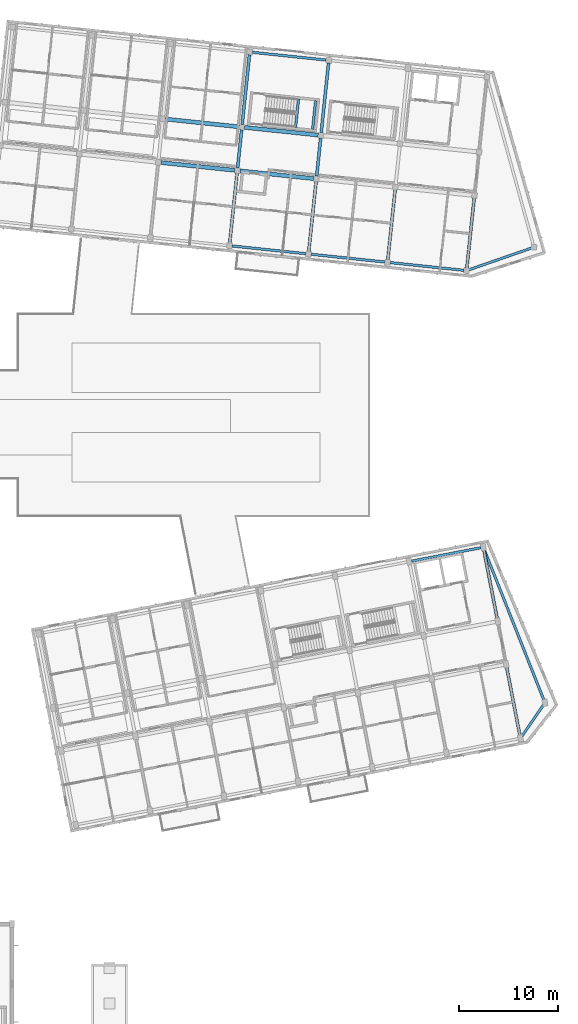
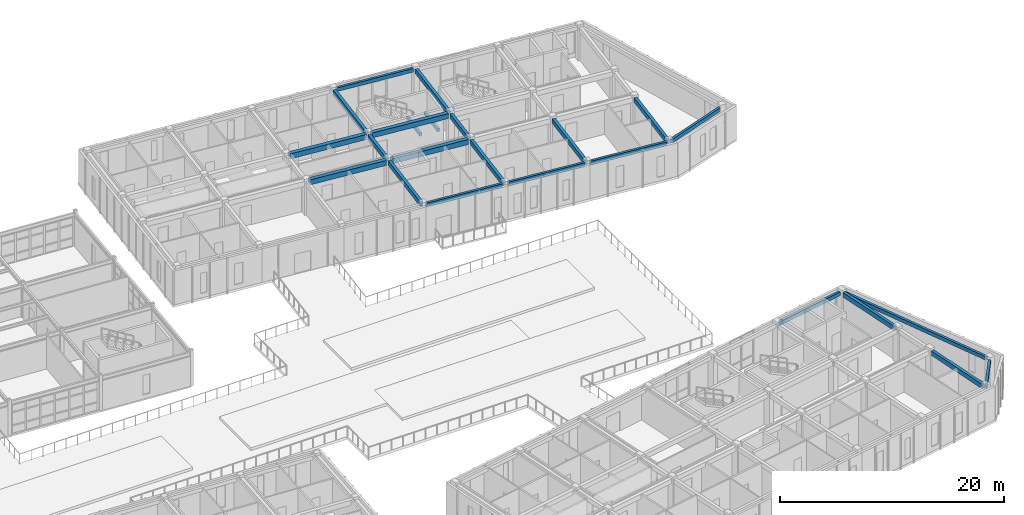
# One storey, part 61 of 150: 24 beams.
"""IFC4 building model written with IfcOpenShell, lengths in metres."""

from ifc_helpers import new_model, si_unit, direction, frame, origin, origin_2d, place, context, subcontext, project, spatial, rectangle, extrude, material, material_profile, profile_set, type_object, element, save


model = new_model("IFC4")

# Units and contexts
model_context = context("Model", 3, precision=1e-05, world=origin(), true_north=direction((0.0, 1.0)))
body_context = subcontext(model_context, "Body", "Model", "MODEL_VIEW")
ifc_project = project(units=[si_unit("LENGTHUNIT", "METRE"), si_unit("AREAUNIT", "SQUARE_METRE"), si_unit("VOLUMEUNIT", "CUBIC_METRE"), si_unit("PLANEANGLEUNIT", "RADIAN"), si_unit("MASSUNIT", "GRAM", prefix="KILO")], contexts=[model_context])

# Site, building, storey
site_placement = place(None, origin())
site = spatial("IfcSite", under=ifc_project, at=site_placement, CompositionType="ELEMENT")
building_placement = place(site_placement, origin())
building = spatial("IfcBuilding", under=site, at=building_placement, Name="Kestramere Prow Commons", CompositionType="ELEMENT")
storey_placement = place(building_placement, frame((0.0, 0.0, 4.5)))
storey = spatial("IfcBuildingStorey", under=building, at=storey_placement, Name="L01", CompositionType="ELEMENT", Elevation=4.5)

# Beams
ifc_material_1 = material(Name="Precast concrete C40/50", Category="concrete")
ifc_material_profile_1 = material_profile(ifc_material_1, rectangle(XDim=0.39990234375, YDim=0.550048828125, at=origin_2d()), Name="PC-BM 400x550")
ifc_profile_set_1 = profile_set([ifc_material_profile_1], Name="Precast concrete C40/50")
beam_type_1 = type_object("IfcBeamType", Name="BM-B1 PC-BM 400x550", PredefinedType="BEAM", material=ifc_profile_set_1)
for number, where, z_axis, x_axis, name in (
    (1, (126.980224609375, 100.6572265625, 3.375), (0.994520884665, -0.104538079019, 0.0), (0.104538079019, 0.994520884665, 0.0), "Block B L01 Longitudinal Beam 2-3"),
    (2, (134.9365234375, 99.821044921875, 3.375), (0.994520884665, -0.104538079019, 0.0), (0.104538079019, 0.994520884665, 0.0), "Block B L01 Longitudinal Beam 2-4"),
    (3, (127.440185546875, 105.032958984375, 3.375), (0.994524291149, -0.104505666419, 0.0), (0.104505666419, 0.994524291149, 0.0), "Block B L01 Longitudinal Beam 3-3"),
):
    element("IfcBeam", number, at=place(storey_placement, frame(where, z_axis=z_axis, x_axis=x_axis)), inside=storey, type_object=beam_type_1, Name=name, PredefinedType="BEAM", context=body_context, shape_type="SweptSolid", body=[
        extrude(rectangle(XDim=0.39990234375, YDim=0.550048828125, at=origin_2d()), origin(), (0.0, 0.0, 1.0), 7.449951171875),
    ])
beam_1_placement = place(storey_placement, frame((135.396240234375, 104.19677734375, 3.375), z_axis=(0.994524649035, -0.104502260561, 0.0), x_axis=(0.104502260561, 0.994524649035, 0.0)))
element("IfcBeam", 4, at=beam_1_placement, inside=storey, type_object=beam_type_1, Name="Block B L01 Longitudinal Beam 3-4", PredefinedType="BEAM", context=body_context, shape_type="SweptSolid", body=[
    extrude(rectangle(XDim=0.39990234375, YDim=0.550048828125, at=origin_2d()), origin(), (0.0, 0.0, 1.0), 7.4501953125),
])
ifc_material_2 = material(Name="Concrete C40/50", Category="concrete")
ifc_material_profile_2 = material_profile(ifc_material_2, rectangle(XDim=0.25, YDim=0.35009765625, at=origin_2d()), Name="PC-BM 250x350")
ifc_profile_set_2 = profile_set([ifc_material_profile_2], Name="Concrete C40/50")
beam_type_2 = type_object("IfcBeamType", Name="BM-ST-TRIM", PredefinedType="BEAM", material=ifc_profile_set_2)
beam_2_placement = place(storey_placement, frame((140.52880859375, 104.1904296875, 1.574951171875), z_axis=(0.104504476959, 0.994524416138, 0.0), x_axis=(-0.994524416138, 0.104504476959, 0.0)))
element("IfcBeam", 5, at=beam_2_placement, inside=storey, type_object=beam_type_2, Name="ST-B1 L01 Landing Trimmer Beam 1A", PredefinedType="BEAM", context=body_context, shape_type="SweptSolid", body=[
    extrude(rectangle(XDim=0.25, YDim=0.35009765625, at=origin_2d()), origin(), (0.0, 0.0, 1.0), 2.889892578125),
])
beam_3_placement = place(storey_placement, frame((142.2392578125, 104.010498046875, 1.574951171875), z_axis=(0.104579248847, 0.994516556278, 0.0), x_axis=(-0.994516556278, 0.104579248847, 0.0)))
element("IfcBeam", 6, at=beam_3_placement, inside=storey, type_object=beam_type_2, Name="ST-B1 L01 Landing Trimmer Beam 1B", PredefinedType="BEAM", context=body_context, shape_type="SweptSolid", body=[
    extrude(rectangle(XDim=0.25, YDim=0.35009765625, at=origin_2d()), origin(), (0.0, 0.0, 1.0), 2.89013671875),
])
ifc_material_profile_3 = material_profile(ifc_material_1, rectangle(XDim=0.300048828125, YDim=0.5, at=origin_2d()), Name="PC-BM 300x500")
ifc_profile_set_3 = profile_set([ifc_material_profile_3], Name="Precast concrete C40/50")
beam_type_3 = type_object("IfcBeamType", Name="BM-TIE-01 PC-BM 300x500", PredefinedType="BEAM", material=ifc_profile_set_3)
beam_4_placement = place(storey_placement, frame((133.897216796875, 92.564697265625, 3.39990234375), z_axis=(0.104545981508, 0.994520053971, 0.0), x_axis=(-0.994520053971, 0.104545981508, 0.0)))
element("IfcBeam", 7, at=beam_4_placement, inside=storey, type_object=beam_type_3, Name="Block B L01 Transverse Beam 4-1", PredefinedType="BEAM", context=body_context, shape_type="SweptSolid", body=[
    extrude(rectangle(XDim=0.300048828125, YDim=0.5, at=origin_2d()), origin(), (0.0, 0.0, 1.0), 7.050048828125),
])
beam_5_placement = place(storey_placement, frame((134.691650390625, 100.123291015625, 3.39990234375), z_axis=(0.104569249198, 0.994517607749, 0.0), x_axis=(-0.994517607749, 0.104569249198, 0.0)))
element("IfcBeam", 8, at=beam_5_placement, inside=storey, type_object=beam_type_3, Name="Block B L01 Transverse Beam 4-2", PredefinedType="BEAM", context=body_context, shape_type="SweptSolid", body=[
    extrude(rectangle(XDim=0.300048828125, YDim=0.5, at=origin_2d()), origin(), (0.0, 0.0, 1.0), 3.849853515625),
])
for number, where, z_axis, x_axis, name in (
    (9, (135.151611328125, 104.4990234375, 3.39990234375), (0.104511730475, 0.994523653913, 0.0), (-0.994523653913, 0.104511730475, 0.0), "Block B L01 Transverse Beam 4-3"),
    (10, (141.853515625, 91.728515625, 3.39990234375), (0.104511730475, 0.994523653913, 0.0), (-0.994523653913, 0.104511730475, 0.0), "Block B L01 Transverse Beam 5-1"),
):
    element("IfcBeam", number, at=place(storey_placement, frame(where, z_axis=z_axis, x_axis=x_axis)), inside=storey, type_object=beam_type_3, Name=name, PredefinedType="BEAM", context=body_context, shape_type="SweptSolid", body=[
        extrude(rectangle(XDim=0.300048828125, YDim=0.5, at=origin_2d()), origin(), (0.0, 0.0, 1.0), 7.050048828125),
    ])
beam_6_placement = place(storey_placement, frame((142.64794921875, 99.286865234375, 3.39990234375), z_axis=(0.104499937761, 0.994524893106, 0.0), x_axis=(-0.994524893106, 0.104499937761, 0.0)))
element("IfcBeam", 11, at=beam_6_placement, inside=storey, type_object=beam_type_3, Name="Block B L01 Transverse Beam 5-2", PredefinedType="BEAM", context=body_context, shape_type="SweptSolid", body=[
    extrude(rectangle(XDim=0.300048828125, YDim=0.5, at=origin_2d()), origin(), (0.0, 0.0, 1.0), 3.85009765625),
])
for number, where, z_axis, x_axis, name in (
    (12, (143.107666015625, 103.662841796875, 3.39990234375), (0.104545981508, 0.994520053971, 0.0), (-0.994520053971, 0.104545981508, 0.0), "Block B L01 Transverse Beam 5-3"),
    (13, (149.8095703125, 90.892333984375, 3.39990234375), (0.104545981508, 0.994520053971, 0.0), (-0.994520053971, 0.104545981508, 0.0), "Block B L01 Transverse Beam 6-1"),
    (14, (157.765869140625, 90.05615234375, 3.39990234375), (0.104511730475, 0.994523653913, 0.0), (-0.994523653913, 0.104511730475, 0.0), "Block B L01 Transverse Beam 7-1"),
):
    element("IfcBeam", number, at=place(storey_placement, frame(where, z_axis=z_axis, x_axis=x_axis)), inside=storey, type_object=beam_type_3, Name=name, PredefinedType="BEAM", context=body_context, shape_type="SweptSolid", body=[
        extrude(rectangle(XDim=0.300048828125, YDim=0.5, at=origin_2d()), origin(), (0.0, 0.0, 1.0), 7.050048828125),
    ])
for number, where, z_axis, x_axis, name in (
    (15, (163.095458984375, 43.04443359375, 3.39990234375), (-0.190819465253, 0.981625148252, 0.0), (-0.981625148252, -0.190819465253, 0.0), "Block D L01 Transverse Beam 7-1"),
    (16, (160.8056640625, 54.823974609375, 3.39990234375), (-0.190819465253, 0.981625148252, 0.0), (-0.981625148252, -0.190819465253, 0.0), "Block D L01 Transverse Beam 7-3"),
):
    element("IfcBeam", number, at=place(storey_placement, frame(where, z_axis=z_axis, x_axis=x_axis)), inside=storey, type_object=beam_type_3, Name=name, PredefinedType="BEAM", context=body_context, shape_type="SweptSolid", body=[
        extrude(rectangle(XDim=0.300048828125, YDim=0.5, at=origin_2d()), origin(), (0.0, 0.0, 1.0), 6.89990234375),
    ])
ifc_material_profile_4 = material_profile(ifc_material_1, rectangle(XDim=0.25, YDim=0.39990234375, at=origin_2d()), Name="PC-SP 250x400")
ifc_profile_set_4 = profile_set([ifc_material_profile_4], Name="Precast concrete C40/50")
beam_type_4 = type_object("IfcBeamType", Name="SP-EXT-01 PC-SP 250x400", PredefinedType="SPANDREL", material=ifc_profile_set_4)
beam_7_placement = place(storey_placement, frame((158.00146484375, 89.87451171875, 3.449951171875), z_axis=(0.944739829863, 0.327821069901, 0.0), x_axis=(-0.327821069901, 0.944739829863, 0.0)))
element("IfcBeam", 17, at=beam_7_placement, inside=storey, type_object=beam_type_4, Name="Block B L01 Prow Facet Beam S", PredefinedType="SPANDREL", context=body_context, shape_type="SweptSolid", body=[
    extrude(rectangle(XDim=0.25, YDim=0.39990234375, at=origin_2d()), origin(), (0.0, 0.0, 1.0), 6.619873046875),
])
for number, where, z_axis, x_axis, name in (
    (18, (134.14208984375, 92.262451171875, 3.449951171875), (0.994524291149, -0.104505666419, 0.0), (0.104505666419, 0.994524291149, 0.0), "Block B L01 Longitudinal Beam 1-4"),
    (19, (142.09814453125, 91.42626953125, 3.449951171875), (0.994524291149, -0.104505666419, 0.0), (0.104505666419, 0.994524291149, 0.0), "Block B L01 Longitudinal Beam 1-5"),
    (20, (150.054443359375, 90.590087890625, 3.449951171875), (0.994520884665, -0.104538079019, 0.0), (0.104538079019, 0.994520884665, 0.0), "Block B L01 Longitudinal Beam 1-6"),
    (21, (136.190673828125, 111.755126953125, 3.449951171875), (0.994524291149, -0.104505666419, 0.0), (0.104505666419, 0.994524291149, 0.0), "Block B L01 Longitudinal Beam 4-4"),
):
    element("IfcBeam", number, at=place(storey_placement, frame(where, z_axis=z_axis, x_axis=x_axis)), inside=storey, type_object=beam_type_4, Name=name, PredefinedType="SPANDREL", context=body_context, shape_type="SweptSolid", body=[
        extrude(rectangle(XDim=0.25, YDim=0.39990234375, at=origin_2d()), origin(), (0.0, 0.0, 1.0), 7.449951171875),
    ])
beam_8_placement = place(storey_placement, frame((163.320556640625, 42.931640625, 3.449951171875), z_axis=(0.565935255914, 0.824449686829, 0.0), x_axis=(-0.824449686829, 0.565935255914, 0.0)))
element("IfcBeam", 22, at=beam_8_placement, inside=storey, type_object=beam_type_4, Name="Block D L01 Prow Facet Beam S", PredefinedType="SPANDREL", context=body_context, shape_type="SweptSolid", body=[
    extrude(rectangle(XDim=0.25, YDim=0.39990234375, at=origin_2d()), origin(), (0.0, 0.0, 1.0), 3.788818359375),
])
beam_9_placement = place(storey_placement, frame((159.525390625, 61.680419921875, 3.449951171875), z_axis=(0.368282919079, -0.929713768595, 0.0), x_axis=(0.929713768595, 0.368282919079, 0.0)))
element("IfcBeam", 23, at=beam_9_placement, inside=storey, type_object=beam_type_4, Name="Block D L01 Prow Facet Beam N", PredefinedType="SPANDREL", context=body_context, shape_type="SweptSolid", body=[
    extrude(rectangle(XDim=0.25, YDim=0.39990234375, at=origin_2d()), origin(), (0.0, 0.0, 1.0), 16.27783203125),
])
beam_10_placement = place(storey_placement, frame((152.207275390625, 60.538330078125, 3.449951171875), z_axis=(0.98162827229, 0.190803393686, 0.0), x_axis=(-0.190803393686, 0.98162827229, 0.0)))
element("IfcBeam", 24, at=beam_10_placement, inside=storey, type_object=beam_type_4, Name="Block D L01 Longitudinal Beam 4-6", PredefinedType="SPANDREL", context=body_context, shape_type="SweptSolid", body=[
    extrude(rectangle(XDim=0.25, YDim=0.39990234375, at=origin_2d()), origin(), (0.0, 0.0, 1.0), 7.10009765625),
])

save(model, "model.ifc")
